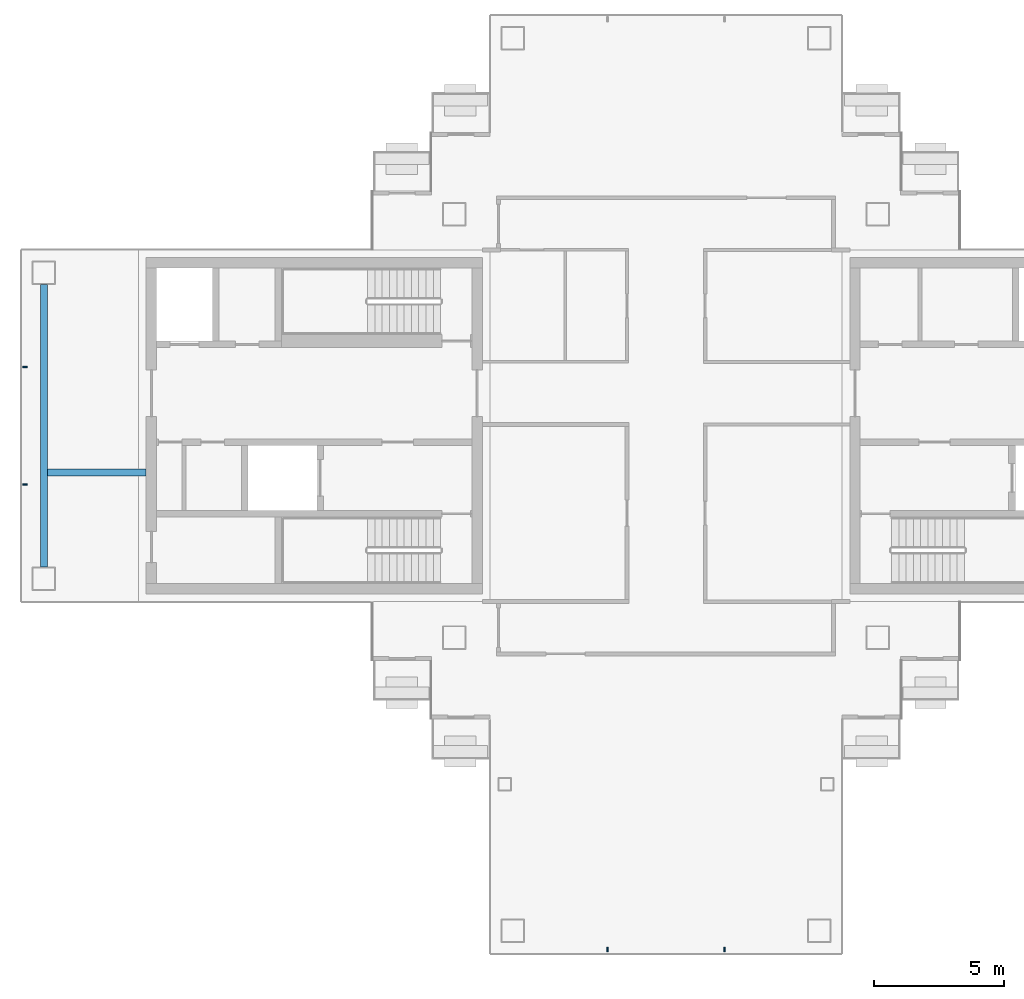
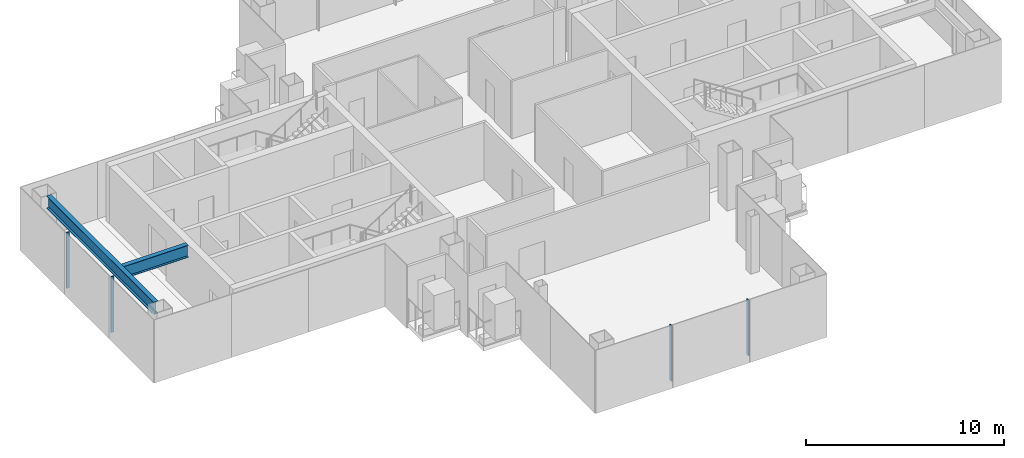
# One storey, part 3 of 17: 4 members, 2 beams, 2 elements without a shape of their own.
"""IFC4 building model written with IfcOpenShell, lengths in metres."""

from ifc_helpers import new_model, si_unit, direction, frame, origin, origin_2d, place, context, subcontext, project, spatial, rectangle, i_section, extrude, material, layer, layer_set, material_profile, profile_set, type_object, element, aggregate, save


model = new_model("IFC4")

# Units and contexts
model_context = context("Model", 3, precision=1e-05, world=origin(), true_north=direction((0.0, 1.0)))
body_context = subcontext(model_context, "Body", "Model", "MODEL_VIEW")
ifc_project = project(units=[si_unit("LENGTHUNIT", "METRE"), si_unit("AREAUNIT", "SQUARE_METRE"), si_unit("VOLUMEUNIT", "CUBIC_METRE"), si_unit("PLANEANGLEUNIT", "RADIAN"), si_unit("MASSUNIT", "GRAM", prefix="KILO")], contexts=[model_context])

# Site, building, storey
site_placement = place(None, origin())
site = spatial("IfcSite", under=ifc_project, at=site_placement, CompositionType="ELEMENT")
building_placement = place(site_placement, origin())
building = spatial("IfcBuilding", under=site, at=building_placement, Name="Shamsa Quay Exchange Towers", CompositionType="ELEMENT")
storey_placement = place(building_placement, frame((0.0, 0.0, 249.89990234375)))
storey = spatial("IfcBuildingStorey", under=building, at=storey_placement, Name="L60", CompositionType="ELEMENT", Elevation=249.89990234375)

# Curtain wall, members
ifc_material_1 = material(Name="Aluminium EN AW-6063 T6, black anodised", Category="aluminium")
ifc_layer = layer(ifc_material_1, 0.280029296875)
ifc_layer_set = layer_set([ifc_layer], Name="CW-1 UNITISED VISION GLASS")
curtain_wall_type = type_object("IfcCurtainWallType", Name="CW-1 UNITISED VISION GLASS", PredefinedType="NOTDEFINED", material=ifc_layer_set)
curtain_wall_1_placement = place(storey_placement, origin())
curtain_wall_1 = element("IfcCurtainWall", 1, at=curtain_wall_1_placement, inside=storey, type_object=curtain_wall_type, Name="CW1 T1-END-V- L60", PredefinedType="NOTDEFINED")
ifc_material_profile_1 = material_profile(ifc_material_1, rectangle(XDim=0.179931640625, YDim=0.06005859375, at=origin_2d()), Name="MU60x180")
ifc_profile_set_1 = profile_set([ifc_material_profile_1], Name="Aluminium EN AW-6063 T6, black anodised")
member_type = type_object("IfcMemberType", Name="CW1 MULLION 60x180", PredefinedType="MULLION", material=ifc_profile_set_1)
member_1_placement = place(storey_placement, frame((-36.0, -20.10009765625, 0.0), z_axis=(0.0, 0.0, 1.0), x_axis=(0.0, 1.0, 0.0)))
member_1 = element("IfcMember", 2, at=member_1_placement, type_object=member_type, Name="CW1 mullion", PredefinedType="MULLION", context=body_context, shape_type="SweptSolid", body=[
    extrude(rectangle(XDim=0.179931640625, YDim=0.06005859375, at=origin_2d()), origin(), (0.0, 0.0, 1.0), 3.4501953125),
])
member_2_placement = place(storey_placement, frame((-31.5, -20.10009765625, 0.0), z_axis=(0.0, 0.0, 1.0), x_axis=(0.0, 1.0, 0.0)))
member_2 = element("IfcMember", 3, at=member_2_placement, type_object=member_type, Name="CW1 mullion", PredefinedType="MULLION", context=body_context, shape_type="SweptSolid", body=[
    extrude(rectangle(XDim=0.179931640625, YDim=0.06005859375, at=origin_2d()), origin(), (0.0, 0.0, 1.0), 3.4501953125),
])
aggregate(curtain_wall_1, [member_1, member_2])

curtain_wall_2_placement = place(storey_placement, origin())
curtain_wall_2 = element("IfcCurtainWall", 4, at=curtain_wall_2_placement, inside=storey, type_object=curtain_wall_type, Name="CW1 T1-END-U- L60", PredefinedType="NOTDEFINED")
member_3_placement = place(storey_placement, frame((-58.35009765625, 2.25, 0.0)))
member_3 = element("IfcMember", 5, at=member_3_placement, type_object=member_type, Name="CW1 mullion", PredefinedType="MULLION", context=body_context, shape_type="SweptSolid", body=[
    extrude(rectangle(XDim=0.179931640625, YDim=0.06005859375, at=origin_2d()), origin(), (0.0, 0.0, 1.0), 3.4501953125),
])
member_4_placement = place(storey_placement, frame((-58.35009765625, -2.25, 0.0)))
member_4 = element("IfcMember", 6, at=member_4_placement, type_object=member_type, Name="CW1 mullion", PredefinedType="MULLION", context=body_context, shape_type="SweptSolid", body=[
    extrude(rectangle(XDim=0.179931640625, YDim=0.06005859375, at=origin_2d()), origin(), (0.0, 0.0, 1.0), 3.4501953125),
])
aggregate(curtain_wall_2, [member_3, member_4])

# Beams
ifc_material_2 = material(Name="Steel S355", Category="steel")
ifc_material_profile_2 = material_profile(ifc_material_2, i_section(OverallWidth=0.26611328125, OverallDepth=0.7578125, WebThickness=0.013916015625, FlangeThickness=0.019287109375, at=origin_2d()), Name="W30x108")
ifc_profile_set_2 = profile_set([ifc_material_profile_2], Name="Steel S355")
beam_type = type_object("IfcBeamType", Name="End-zone beam W30x108", PredefinedType="BEAM", material=ifc_profile_set_2)
beam_1_placement = place(storey_placement, frame((-57.625, -5.425048828125, 3.171142578125), z_axis=(0.0, 1.0, 0.0), x_axis=(-1.0, 0.0, 0.0)))
element("IfcBeam", 7, at=beam_1_placement, inside=storey, type_object=beam_type, Name="End beam T1 U- end zone L60", PredefinedType="BEAM", context=body_context, shape_type="SweptSolid", body=[
    extrude(i_section(OverallWidth=0.26611328125, OverallDepth=0.7578125, WebThickness=0.013916015625, FlangeThickness=0.019287109375, at=origin_2d()), origin(), (0.0, 0.0, 1.0), 10.85009765625),
])
beam_2_placement = place(storey_placement, frame((-53.699951171875, -1.800048828125, 3.171142578125), z_axis=(-1.0, 0.0, 0.0), x_axis=(0.0, -1.0, 0.0)))
element("IfcBeam", 8, at=beam_2_placement, inside=storey, type_object=beam_type, Name="Spine beam T1 U- end zone L60", PredefinedType="BEAM", context=body_context, shape_type="SweptSolid", body=[
    extrude(i_section(OverallWidth=0.26611328125, OverallDepth=0.7578125, WebThickness=0.013916015625, FlangeThickness=0.019287109375, at=origin_2d()), origin(), (0.0, 0.0, 1.0), 3.7919921875),
])

save(model, "model.ifc")
